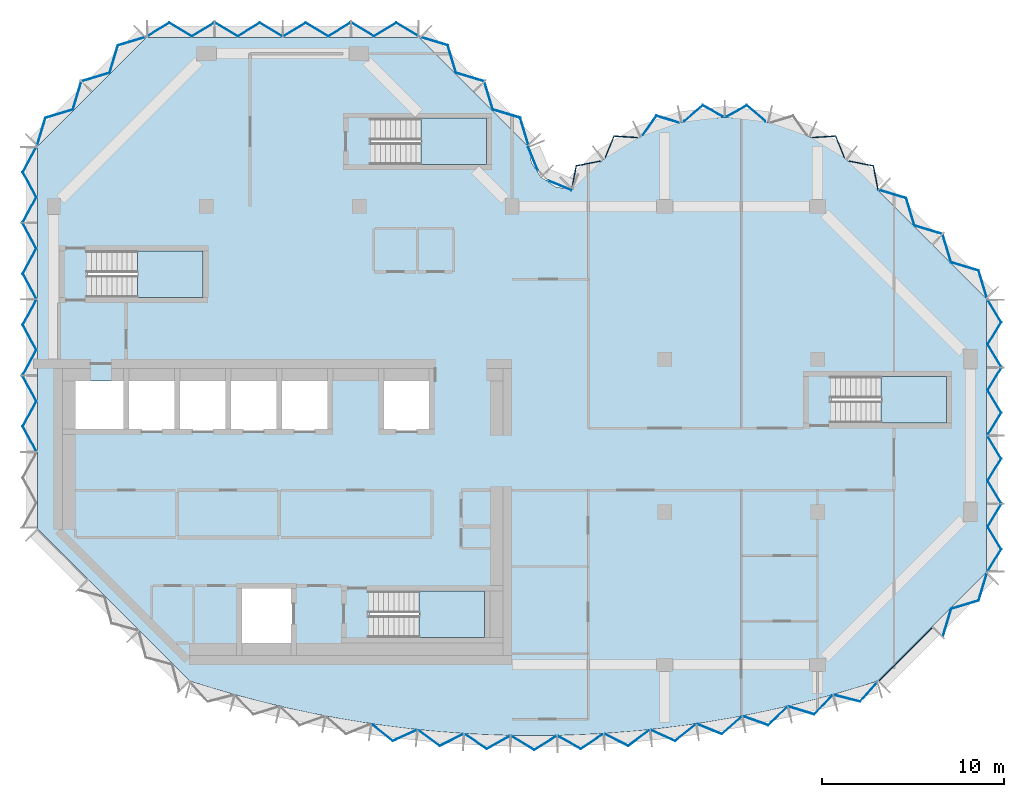
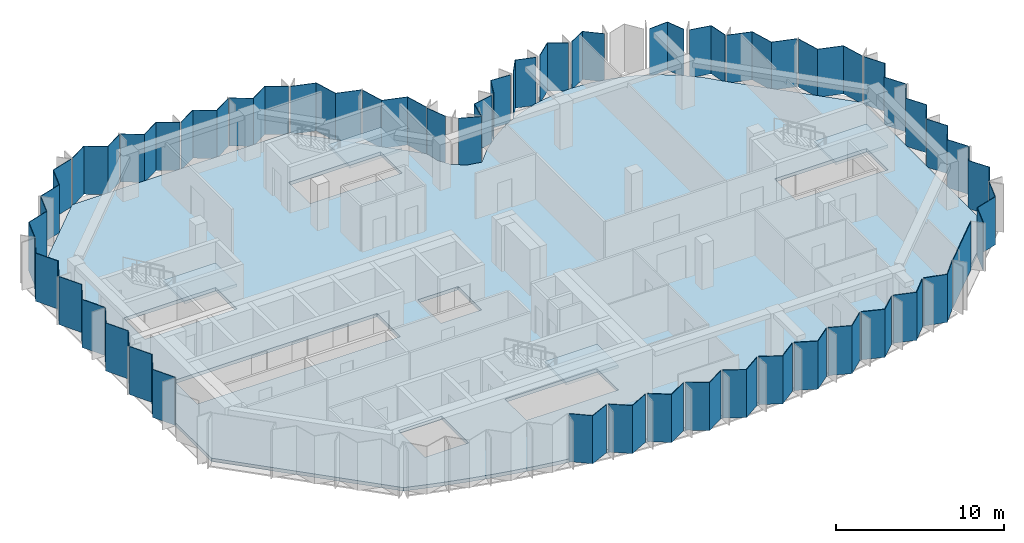
# One storey, part 3 of 9: 40 plates, 5 slabs, 14 elements without a shape of their own.
"""IFC4 building model written with IfcOpenShell, lengths in metres."""

from ifc_helpers import new_model, si_unit, direction, frame, origin, place, context, subcontext, project, spatial, polyline, outline, extrude, material, layer, layer_set, type_object, element, aggregate, save


model = new_model("IFC4")

# Units and contexts
model_context = context("Model", 3, precision=1e-05, world=origin(), true_north=direction((0.0, 1.0)))
body_context = subcontext(model_context, "Body", "Model", "MODEL_VIEW")
ifc_project = project(units=[si_unit("LENGTHUNIT", "METRE"), si_unit("AREAUNIT", "SQUARE_METRE"), si_unit("VOLUMEUNIT", "CUBIC_METRE"), si_unit("PLANEANGLEUNIT", "RADIAN"), si_unit("MASSUNIT", "GRAM", prefix="KILO")], contexts=[model_context])

# Site, building, storey
site_placement = place(None, origin())
site = spatial("IfcSite", under=ifc_project, at=site_placement, CompositionType="ELEMENT")
building_placement = place(site_placement, origin())
building = spatial("IfcBuilding", under=site, at=building_placement, Name="Brevane Broadcast Tower", CompositionType="ELEMENT")
storey_placement = place(building_placement, frame((0.0, 0.0, 226.5)))
storey = spatial("IfcBuildingStorey", under=building, at=storey_placement, Name="L57", CompositionType="ELEMENT", Elevation=226.5)

# Curtain wall, plates
ifc_material_1 = material(Name="Aluminium 6063-T6 bronze anodised", Category="aluminium")
curtain_wall_type = type_object("IfcCurtainWallType", Name="CW-1 curtain wall", PredefinedType="NOTDEFINED", material=ifc_material_1)
curtain_wall_1_placement = place(storey_placement, origin())
curtain_wall_1 = element("IfcCurtainWall", 1, at=curtain_wall_1_placement, inside=storey, type_object=curtain_wall_type, Name="CW-1 typical tilted unit L57 south bow", PredefinedType="NOTDEFINED")
ifc_material_2 = material(Name="Laminated glass bronze-tinted", Category="glass")
ifc_layer_1 = layer(ifc_material_2, 0.0400390625)
ifc_layer_set_1 = layer_set([ifc_layer_1], Name="CW tall glass panel 40")
plate_type = type_object("IfcPlateType", Name="CW tall glass panel 40", PredefinedType="CURTAIN_PANEL", material=ifc_layer_set_1)
plate_1_placement = place(storey_placement, frame((0.0, 0.0, -0.14990234375)))
plate_1 = element("IfcPlate", 2, at=plate_1_placement, type_object=plate_type, Name="CW-1 glass panel", PredefinedType="CURTAIN_PANEL", context=body_context, shape_type="SweptSolid", body=[
    extrude(outline(polyline([(17.534912109375, -3.273681640625), (17.528076171875, -3.319580078125), (18.63525390625, -4.211181640625), (19.926025390625, -3.623779296875), (19.930908203125, -3.57763671875), (18.64111328125, -4.164794921875), (17.534912109375, -3.273681640625)])), origin(), (0.0, 0.0, 1.0), 3.5),
])
plate_2_placement = place(storey_placement, frame((0.0, 0.0, -0.14990234375)))
plate_2 = element("IfcPlate", 3, at=plate_2_placement, type_object=plate_type, Name="CW-1 glass panel", PredefinedType="CURTAIN_PANEL", context=body_context, shape_type="SweptSolid", body=[
    extrude(outline(polyline([(20.07763671875, -3.593017578125), (20.07275390625, -3.638916015625), (21.21875, -4.48388671875), (22.4814453125, -3.843017578125), (22.484375, -3.796630859375), (21.22265625, -4.437255859375), (20.07763671875, -3.593017578125)])), origin(), (0.0, 0.0, 1.0), 3.5),
])
plate_3_placement = place(storey_placement, frame((0.0, 0.0, -0.14990234375)))
plate_3 = element("IfcPlate", 4, at=plate_3_placement, type_object=plate_type, Name="CW-1 glass panel", PredefinedType="CURTAIN_PANEL", context=body_context, shape_type="SweptSolid", body=[
    extrude(outline(polyline([(22.631591796875, -3.8056640625), (22.628662109375, -3.851806640625), (23.8115234375, -4.6484375), (25.043701171875, -3.955322265625), (25.044921875, -3.908935546875), (23.8134765625, -4.6015625), (22.631591796875, -3.8056640625)])), origin(), (0.0, 0.0, 1.0), 3.5),
])
plate_4_placement = place(storey_placement, frame((0.0, 0.0, -0.14990234375)))
plate_4 = element("IfcPlate", 5, at=plate_4_placement, type_object=plate_type, Name="CW-1 glass panel", PredefinedType="CURTAIN_PANEL", context=body_context, shape_type="SweptSolid", body=[
    extrude(outline(polyline([(25.1923828125, -3.91162109375), (25.19140625, -3.957763671875), (26.413818359375, -4.703369140625), (27.6181640625, -3.95849609375), (27.6171875, -3.912109375), (26.41357421875, -4.656494140625), (25.1923828125, -3.91162109375)])), origin(), (0.0, 0.0, 1.0), 3.5),
])
plate_5_placement = place(storey_placement, frame((0.0, 0.0, -0.14990234375)))
plate_5 = element("IfcPlate", 6, at=plate_5_placement, type_object=plate_type, Name="CW-1 glass panel", PredefinedType="CURTAIN_PANEL", context=body_context, shape_type="SweptSolid", body=[
    extrude(outline(polyline([(27.745849609375, -3.9091796875), (27.746826171875, -3.955810546875), (28.98388671875, -4.648681640625), (30.17138671875, -3.851806640625), (30.16845703125, -3.8056640625), (28.98193359375, -4.601806640625), (27.745849609375, -3.9091796875)])), origin(), (0.0, 0.0, 1.0), 3.5),
])
plate_6_placement = place(storey_placement, frame((0.0, 0.0, -0.14990234375)))
plate_6 = element("IfcPlate", 7, at=plate_6_placement, type_object=plate_type, Name="CW-1 glass panel", PredefinedType="CURTAIN_PANEL", context=body_context, shape_type="SweptSolid", body=[
    extrude(outline(polyline([(30.315673828125, -3.796630859375), (30.318603515625, -3.843017578125), (31.581298828125, -4.48388671875), (32.727294921875, -3.638916015625), (32.722412109375, -3.593017578125), (31.577392578125, -4.437255859375), (30.315673828125, -3.796630859375)])), origin(), (0.0, 0.0, 1.0), 3.5),
])
plate_7_placement = place(storey_placement, frame((0.0, 0.0, -0.14990234375)))
plate_7 = element("IfcPlate", 8, at=plate_7_placement, type_object=plate_type, Name="CW-1 glass panel", PredefinedType="CURTAIN_PANEL", context=body_context, shape_type="SweptSolid", body=[
    extrude(outline(polyline([(32.869140625, -3.57763671875), (32.8740234375, -3.623779296875), (34.164794921875, -4.211181640625), (35.27197265625, -3.319580078125), (35.26513671875, -3.273681640625), (34.158935546875, -4.164794921875), (32.869140625, -3.57763671875)])), origin(), (0.0, 0.0, 1.0), 3.5),
])
plate_8_placement = place(storey_placement, frame((0.0, 0.0, -0.14990234375)))
plate_8 = element("IfcPlate", 9, at=plate_8_placement, type_object=plate_type, Name="CW-1 glass panel", PredefinedType="CURTAIN_PANEL", context=body_context, shape_type="SweptSolid", body=[
    extrude(outline(polyline([(35.4111328125, -3.252197265625), (35.41796875, -3.298095703125), (36.73486328125, -3.830810546875), (37.80126953125, -2.894287109375), (37.79248046875, -2.8486328125), (36.726806640625, -3.78466796875), (35.4111328125, -3.252197265625)])), origin(), (0.0, 0.0, 1.0), 3.5),
])
plate_9_placement = place(storey_placement, frame((0.0, 0.0, -0.14990234375)))
plate_9 = element("IfcPlate", 10, at=plate_9_placement, type_object=plate_type, Name="CW-1 glass panel", PredefinedType="CURTAIN_PANEL", context=body_context, shape_type="SweptSolid", body=[
    extrude(outline(polyline([(37.9375, -2.82080078125), (37.946044921875, -2.866455078125), (39.28662109375, -3.343505859375), (40.310546875, -2.36376953125), (40.2998046875, -2.318603515625), (39.276611328125, -3.29736328125), (37.9375, -2.82080078125)])), origin(), (0.0, 0.0, 1.0), 3.5),
])
plate_10_placement = place(storey_placement, frame((0.0, 0.0, -0.14990234375)))
plate_10 = element("IfcPlate", 11, at=plate_10_placement, type_object=plate_type, Name="CW-1 glass panel", PredefinedType="CURTAIN_PANEL", context=body_context, shape_type="SweptSolid", body=[
    extrude(outline(polyline([(40.443603515625, -2.284423828125), (40.4541015625, -2.32958984375), (41.81591796875, -2.749755859375), (42.79541015625, -1.728759765625), (42.782958984375, -1.68408203125), (41.803955078125, -2.7041015625), (40.443603515625, -2.284423828125)])), origin(), (0.0, 0.0, 1.0), 3.5),
])
plate_11_placement = place(storey_placement, frame((0.0, 0.0, -0.14990234375)))
plate_11 = element("IfcPlate", 12, at=plate_11_placement, type_object=plate_type, Name="CW-1 glass panel", PredefinedType="CURTAIN_PANEL", context=body_context, shape_type="SweptSolid", body=[
    extrude(outline(polyline([(42.925048828125, -1.64404296875), (42.9375, -1.6884765625), (44.336669921875, -2.044921875), (45.287841796875, -0.980712890625), (45.2744140625, -0.935791015625), (44.322998046875, -2.000244140625), (42.925048828125, -1.64404296875)])), origin(), (0.0, 0.0, 1.0), 3.5),
])
aggregate(curtain_wall_1, [plate_1, plate_2, plate_3, plate_4, plate_5, plate_6, plate_7, plate_8, plate_9, plate_10, plate_11])

curtain_wall_2_placement = place(storey_placement, origin())
curtain_wall_2 = element("IfcCurtainWall", 13, at=curtain_wall_2_placement, inside=storey, type_object=curtain_wall_type, Name="CW-1 typical tilted unit L57 south-east chamfer", PredefinedType="NOTDEFINED")
plate_12_placement = place(storey_placement, frame((0.0, 0.0, -0.14990234375)))
plate_12 = element("IfcPlate", 14, at=plate_12_placement, type_object=plate_type, Name="CW-1 glass panel", PredefinedType="CURTAIN_PANEL", context=body_context, shape_type="SweptSolid", body=[
    extrude(outline(polyline([(45.345947265625, -0.896484375), (48.29638671875, 2.053955078125), (48.32470703125, 2.02587890625), (45.374267578125, -0.9248046875), (45.345947265625, -0.896484375)])), origin(), (0.0, 0.0, 1.0), 3.5),
])
plate_13_placement = place(storey_placement, frame((0.0, 0.0, -0.14990234375)))
plate_13 = element("IfcPlate", 15, at=plate_13_placement, type_object=plate_type, Name="CW-1 glass panel", PredefinedType="CURTAIN_PANEL", context=body_context, shape_type="SweptSolid", body=[
    extrude(outline(polyline([(48.870361328125, 1.5791015625), (48.902587890625, 1.547119140625), (49.359619140625, 3.056884765625), (50.869384765625, 3.513916015625), (51.32666015625, 5.02392578125), (51.294677734375, 5.055908203125), (50.83740234375, 3.546142578125), (49.32763671875, 3.0888671875), (48.870361328125, 1.5791015625)])), origin(), (0.0, 0.0, 1.0), 3.5),
])
aggregate(curtain_wall_2, [plate_12, plate_13])

curtain_wall_3_placement = place(storey_placement, origin())
curtain_wall_3 = element("IfcCurtainWall", 16, at=curtain_wall_3_placement, inside=storey, type_object=curtain_wall_type, Name="CW-1 typical tilted unit L57 east end", PredefinedType="NOTDEFINED")
plate_14_placement = place(storey_placement, frame((0.0, 0.0, -0.14990234375)))
plate_14 = element("IfcPlate", 17, at=plate_14_placement, type_object=plate_type, Name="CW-1 glass panel", PredefinedType="CURTAIN_PANEL", context=body_context, shape_type="SweptSolid", body=[
    extrude(outline(polyline([(51.32666015625, 5.135009765625), (51.373291015625, 5.135009765625), (52.117919921875, 6.36181640625), (51.373291015625, 7.58837890625), (52.117919921875, 8.81494140625), (52.071044921875, 8.81494140625), (51.32666015625, 7.58837890625), (52.071044921875, 6.36181640625), (51.32666015625, 5.135009765625)])), origin(), (0.0, 0.0, 1.0), 3.5),
])
plate_15_placement = place(storey_placement, frame((0.0, 0.0, -0.14990234375)))
plate_15 = element("IfcPlate", 18, at=plate_15_placement, type_object=plate_type, Name="CW-1 glass panel", PredefinedType="CURTAIN_PANEL", context=body_context, shape_type="SweptSolid", body=[
    extrude(outline(polyline([(52.071044921875, 8.885009765625), (52.117919921875, 8.885009765625), (51.373291015625, 10.11181640625), (52.117919921875, 11.33837890625), (51.373291015625, 12.56494140625), (51.32666015625, 12.56494140625), (52.071044921875, 11.33837890625), (51.32666015625, 10.11181640625), (52.071044921875, 8.885009765625)])), origin(), (0.0, 0.0, 1.0), 3.5),
])
plate_16_placement = place(storey_placement, frame((0.0, 0.0, -0.14990234375)))
plate_16 = element("IfcPlate", 19, at=plate_16_placement, type_object=plate_type, Name="CW-1 glass panel", PredefinedType="CURTAIN_PANEL", context=body_context, shape_type="SweptSolid", body=[
    extrude(outline(polyline([(51.32666015625, 12.635009765625), (51.373291015625, 12.635009765625), (52.117919921875, 13.86181640625), (51.373291015625, 15.08837890625), (52.117919921875, 16.31494140625), (52.071044921875, 16.31494140625), (51.32666015625, 15.08837890625), (52.071044921875, 13.86181640625), (51.32666015625, 12.635009765625)])), origin(), (0.0, 0.0, 1.0), 3.5),
])
plate_17_placement = place(storey_placement, frame((0.0, 0.0, -0.14990234375)))
plate_17 = element("IfcPlate", 20, at=plate_17_placement, type_object=plate_type, Name="CW-1 glass panel", PredefinedType="CURTAIN_PANEL", context=body_context, shape_type="SweptSolid", body=[
    extrude(outline(polyline([(52.071044921875, 16.385009765625), (52.117919921875, 16.385009765625), (51.373291015625, 17.61181640625), (52.117919921875, 18.83837890625), (51.373291015625, 20.06494140625), (51.32666015625, 20.06494140625), (52.071044921875, 18.83837890625), (51.32666015625, 17.61181640625), (52.071044921875, 16.385009765625)])), origin(), (0.0, 0.0, 1.0), 3.5),
])
aggregate(curtain_wall_3, [plate_14, plate_15, plate_16, plate_17])

curtain_wall_4_placement = place(storey_placement, origin())
curtain_wall_4 = element("IfcCurtainWall", 21, at=curtain_wall_4_placement, inside=storey, type_object=curtain_wall_type, Name="CW-1 typical tilted unit L57 north-east chamfer", PredefinedType="NOTDEFINED")
plate_18_placement = place(storey_placement, frame((0.0, 0.0, -0.14990234375)))
plate_18 = element("IfcPlate", 22, at=plate_18_placement, type_object=plate_type, Name="CW-1 glass panel", PredefinedType="CURTAIN_PANEL", context=body_context, shape_type="SweptSolid", body=[
    extrude(outline(polyline([(51.294677734375, 20.14404296875), (51.32666015625, 20.176025390625), (50.869384765625, 21.68603515625), (49.359619140625, 22.14306640625), (48.902587890625, 23.653076171875), (48.870361328125, 23.620849609375), (49.32763671875, 22.111083984375), (50.83740234375, 21.65380859375), (51.294677734375, 20.14404296875)])), origin(), (0.0, 0.0, 1.0), 3.5),
])
plate_19_placement = place(storey_placement, frame((0.0, 0.0, -0.14990234375)))
plate_19 = element("IfcPlate", 23, at=plate_19_placement, type_object=plate_type, Name="CW-1 glass panel", PredefinedType="CURTAIN_PANEL", context=body_context, shape_type="SweptSolid", body=[
    extrude(outline(polyline([(48.82080078125, 23.67041015625), (48.85302734375, 23.702392578125), (47.343017578125, 24.15966796875), (46.885986328125, 25.66943359375), (45.376220703125, 26.126708984375), (45.343994140625, 26.094482421875), (46.85400390625, 25.637451171875), (47.31103515625, 24.127685546875), (48.82080078125, 23.67041015625)])), origin(), (0.0, 0.0, 1.0), 3.5),
])
aggregate(curtain_wall_4, [plate_18, plate_19])

curtain_wall_5_placement = place(storey_placement, origin())
curtain_wall_5 = element("IfcCurtainWall", 24, at=curtain_wall_5_placement, inside=storey, type_object=curtain_wall_type, Name="CW-1 typical tilted unit L57 east bow", PredefinedType="NOTDEFINED")
plate_20_placement = place(storey_placement, frame((0.0, 0.0, -0.14990234375)))
plate_20 = element("IfcPlate", 25, at=plate_20_placement, type_object=plate_type, Name="CW-1 glass panel", PredefinedType="CURTAIN_PANEL", context=body_context, shape_type="SweptSolid", body=[
    extrude(outline(polyline([(45.2939453125, 26.14404296875), (45.327880859375, 26.17919921875), (45.086181640625, 27.447265625), (43.738525390625, 27.71142578125), (43.7109375, 27.67626953125), (45.052001953125, 27.4130859375), (45.2939453125, 26.14404296875)])), origin(), (0.0, 0.0, 1.0), 3.5),
])
plate_21_placement = place(storey_placement, frame((0.0, 0.0, -0.14990234375)))
plate_21 = element("IfcPlate", 26, at=plate_21_placement, type_object=plate_type, Name="CW-1 glass panel", PredefinedType="CURTAIN_PANEL", context=body_context, shape_type="SweptSolid", body=[
    extrude(outline(polyline([(43.45703125, 27.8759765625), (43.4853515625, 27.912109375), (43.00390625, 29.089111328125), (41.710693359375, 29.006591796875), (41.69091796875, 28.96533203125), (42.977783203125, 29.04736328125), (43.45703125, 27.8759765625)])), origin(), (0.0, 0.0, 1.0), 3.5),
])
plate_22_placement = place(storey_placement, frame((0.0, 0.0, -0.14990234375)))
plate_22 = element("IfcPlate", 27, at=plate_22_placement, type_object=plate_type, Name="CW-1 glass panel", PredefinedType="CURTAIN_PANEL", context=body_context, shape_type="SweptSolid", body=[
    extrude(outline(polyline([(39.125, 29.859619140625), (39.13525390625, 29.903564453125), (38.116943359375, 30.779296875), (37.008056640625, 30.15869140625), (37.008056640625, 30.11279296875), (38.112060546875, 30.730712890625), (39.125, 29.859619140625)])), origin(), (0.0, 0.0, 1.0), 3.5),
])
plate_23_placement = place(storey_placement, frame((0.0, 0.0, -0.14990234375)))
plate_23 = element("IfcPlate", 28, at=plate_23_placement, type_object=plate_type, Name="CW-1 glass panel", PredefinedType="CURTAIN_PANEL", context=body_context, shape_type="SweptSolid", body=[
    extrude(outline(polyline([(36.7919921875, 30.11279296875), (36.7919921875, 30.15869140625), (35.68310546875, 30.779296875), (34.664794921875, 29.903564453125), (34.6748046875, 29.859619140625), (35.68798828125, 30.730712890625), (36.7919921875, 30.11279296875)])), origin(), (0.0, 0.0, 1.0), 3.5),
])
plate_24_placement = place(storey_placement, frame((0.0, 0.0, -0.14990234375)))
plate_24 = element("IfcPlate", 29, at=plate_24_placement, type_object=plate_type, Name="CW-1 glass panel", PredefinedType="CURTAIN_PANEL", context=body_context, shape_type="SweptSolid", body=[
    extrude(outline(polyline([(34.359619140625, 29.78857421875), (34.349365234375, 29.83349609375), (33.132080078125, 30.20166015625), (32.381103515625, 29.1455078125), (32.400634765625, 29.104248046875), (33.148193359375, 30.155029296875), (34.359619140625, 29.78857421875)])), origin(), (0.0, 0.0, 1.0), 3.5),
])
plate_25_placement = place(storey_placement, frame((0.0, 0.0, -0.14990234375)))
plate_25 = element("IfcPlate", 30, at=plate_25_placement, type_object=plate_type, Name="CW-1 glass panel", PredefinedType="CURTAIN_PANEL", context=body_context, shape_type="SweptSolid", body=[
    extrude(outline(polyline([(32.10888671875, 28.96533203125), (32.08935546875, 29.006591796875), (30.7958984375, 29.089111328125), (30.314697265625, 27.912109375), (30.343017578125, 27.8759765625), (30.822265625, 29.04736328125), (32.10888671875, 28.96533203125)])), origin(), (0.0, 0.0, 1.0), 3.5),
])
plate_26_placement = place(storey_placement, frame((0.0, 0.0, -0.14990234375)))
plate_26 = element("IfcPlate", 31, at=plate_26_placement, type_object=plate_type, Name="CW-1 glass panel", PredefinedType="CURTAIN_PANEL", context=body_context, shape_type="SweptSolid", body=[
    extrude(outline(polyline([(30.089111328125, 27.67626953125), (30.0615234375, 27.71142578125), (28.7138671875, 27.447265625), (28.471923828125, 26.17919921875), (28.506103515625, 26.14404296875), (28.748046875, 27.4130859375), (30.089111328125, 27.67626953125)])), origin(), (0.0, 0.0, 1.0), 3.5),
])
aggregate(curtain_wall_5, [plate_20, plate_21, plate_22, plate_23, plate_24, plate_25, plate_26])

curtain_wall_6_placement = place(storey_placement, origin())
curtain_wall_6 = element("IfcCurtainWall", 32, at=curtain_wall_6_placement, inside=storey, type_object=curtain_wall_type, Name="CW-1 typical tilted unit L57 inner corner", PredefinedType="NOTDEFINED")
plate_27_placement = place(storey_placement, frame((0.0, 0.0, -0.14990234375)))
plate_27 = element("IfcPlate", 33, at=plate_27_placement, type_object=plate_type, Name="CW-1 glass panel", PredefinedType="CURTAIN_PANEL", context=body_context, shape_type="SweptSolid", body=[
    extrude(outline(polyline([(28.45166015625, 26.07470703125), (28.466796875, 26.111572265625), (27.2021484375, 26.635498046875), (27.17138671875, 26.60498046875), (28.45166015625, 26.07470703125)])), origin(), (0.0, 0.0, 1.0), 3.5),
])
plate_28_placement = place(storey_placement, frame((0.0, 0.0, -0.14990234375)))
plate_28 = element("IfcPlate", 34, at=plate_28_placement, type_object=plate_type, Name="CW-1 glass panel", PredefinedType="CURTAIN_PANEL", context=body_context, shape_type="SweptSolid", body=[
    extrude(outline(polyline([(26.60498046875, 27.17138671875), (26.635498046875, 27.2021484375), (26.111572265625, 28.466796875), (26.07470703125, 28.45166015625), (26.60498046875, 27.17138671875)])), origin(), (0.0, 0.0, 1.0), 3.5),
])
aggregate(curtain_wall_6, [plate_27, plate_28])

curtain_wall_7_placement = place(storey_placement, origin())
curtain_wall_7 = element("IfcCurtainWall", 35, at=curtain_wall_7_placement, inside=storey, type_object=curtain_wall_type, Name="CW-1 typical tilted unit L57 north arm north-east chamfer", PredefinedType="NOTDEFINED")
plate_29_placement = place(storey_placement, frame((0.0, 0.0, -0.14990234375)))
plate_29 = element("IfcPlate", 36, at=plate_29_placement, type_object=plate_type, Name="CW-1 glass panel", PredefinedType="CURTAIN_PANEL", context=body_context, shape_type="SweptSolid", body=[
    extrude(outline(polyline([(26.094482421875, 28.544189453125), (26.126708984375, 28.576171875), (25.66943359375, 30.0859375), (24.15966796875, 30.543212890625), (23.702392578125, 32.052978515625), (23.67041015625, 32.02099609375), (24.127685546875, 30.510986328125), (25.637451171875, 30.053955078125), (26.094482421875, 28.544189453125)])), origin(), (0.0, 0.0, 1.0), 3.5),
])
plate_30_placement = place(storey_placement, frame((0.0, 0.0, -0.14990234375)))
plate_30 = element("IfcPlate", 37, at=plate_30_placement, type_object=plate_type, Name="CW-1 glass panel", PredefinedType="CURTAIN_PANEL", context=body_context, shape_type="SweptSolid", body=[
    extrude(outline(polyline([(23.620849609375, 32.0703125), (23.653076171875, 32.1025390625), (22.14306640625, 32.5595703125), (21.68603515625, 34.069580078125), (20.176025390625, 34.526611328125), (20.14404296875, 34.49462890625), (21.65380859375, 34.037353515625), (22.111083984375, 32.527587890625), (23.620849609375, 32.0703125)])), origin(), (0.0, 0.0, 1.0), 3.5),
])
aggregate(curtain_wall_7, [plate_29, plate_30])

curtain_wall_8_placement = place(storey_placement, origin())
curtain_wall_8 = element("IfcCurtainWall", 38, at=curtain_wall_8_placement, inside=storey, type_object=curtain_wall_type, Name="CW-1 typical tilted unit L57 north end", PredefinedType="NOTDEFINED")
plate_31_placement = place(storey_placement, frame((0.0, 0.0, -0.14990234375)))
plate_31 = element("IfcPlate", 39, at=plate_31_placement, type_object=plate_type, Name="CW-1 glass panel", PredefinedType="CURTAIN_PANEL", context=body_context, shape_type="SweptSolid", body=[
    extrude(outline(polyline([(20.06494140625, 34.526611328125), (20.06494140625, 34.573486328125), (18.83837890625, 35.31787109375), (17.61181640625, 34.573486328125), (16.385009765625, 35.31787109375), (16.385009765625, 35.27099609375), (17.61181640625, 34.526611328125), (18.83837890625, 35.27099609375), (20.06494140625, 34.526611328125)])), origin(), (0.0, 0.0, 1.0), 3.5),
])
plate_32_placement = place(storey_placement, frame((0.0, 0.0, -0.14990234375)))
plate_32 = element("IfcPlate", 40, at=plate_32_placement, type_object=plate_type, Name="CW-1 glass panel", PredefinedType="CURTAIN_PANEL", context=body_context, shape_type="SweptSolid", body=[
    extrude(outline(polyline([(16.31494140625, 35.27099609375), (16.31494140625, 35.31787109375), (15.08837890625, 34.573486328125), (13.86181640625, 35.31787109375), (12.635009765625, 34.573486328125), (12.635009765625, 34.526611328125), (13.86181640625, 35.27099609375), (15.08837890625, 34.526611328125), (16.31494140625, 35.27099609375)])), origin(), (0.0, 0.0, 1.0), 3.5),
])
plate_33_placement = place(storey_placement, frame((0.0, 0.0, -0.14990234375)))
plate_33 = element("IfcPlate", 41, at=plate_33_placement, type_object=plate_type, Name="CW-1 glass panel", PredefinedType="CURTAIN_PANEL", context=body_context, shape_type="SweptSolid", body=[
    extrude(outline(polyline([(12.56494140625, 34.526611328125), (12.56494140625, 34.573486328125), (11.33837890625, 35.31787109375), (10.11181640625, 34.573486328125), (8.885009765625, 35.31787109375), (8.885009765625, 35.27099609375), (10.11181640625, 34.526611328125), (11.33837890625, 35.27099609375), (12.56494140625, 34.526611328125)])), origin(), (0.0, 0.0, 1.0), 3.5),
])
plate_34_placement = place(storey_placement, frame((0.0, 0.0, -0.14990234375)))
plate_34 = element("IfcPlate", 42, at=plate_34_placement, type_object=plate_type, Name="CW-1 glass panel", PredefinedType="CURTAIN_PANEL", context=body_context, shape_type="SweptSolid", body=[
    extrude(outline(polyline([(8.81494140625, 35.27099609375), (8.81494140625, 35.31787109375), (7.58837890625, 34.573486328125), (6.36181640625, 35.31787109375), (5.135009765625, 34.573486328125), (5.135009765625, 34.526611328125), (6.36181640625, 35.27099609375), (7.58837890625, 34.526611328125), (8.81494140625, 35.27099609375)])), origin(), (0.0, 0.0, 1.0), 3.5),
])
aggregate(curtain_wall_8, [plate_31, plate_32, plate_33, plate_34])

curtain_wall_9_placement = place(storey_placement, origin())
curtain_wall_9 = element("IfcCurtainWall", 43, at=curtain_wall_9_placement, inside=storey, type_object=curtain_wall_type, Name="CW-1 typical tilted unit L57 north-west chamfer", PredefinedType="NOTDEFINED")
plate_35_placement = place(storey_placement, frame((0.0, 0.0, -0.14990234375)))
plate_35 = element("IfcPlate", 44, at=plate_35_placement, type_object=plate_type, Name="CW-1 glass panel", PredefinedType="CURTAIN_PANEL", context=body_context, shape_type="SweptSolid", body=[
    extrude(outline(polyline([(5.055908203125, 34.49462890625), (5.02392578125, 34.526611328125), (3.513916015625, 34.069580078125), (3.056884765625, 32.5595703125), (1.547119140625, 32.1025390625), (1.5791015625, 32.0703125), (3.0888671875, 32.527587890625), (3.546142578125, 34.037353515625), (5.055908203125, 34.49462890625)])), origin(), (0.0, 0.0, 1.0), 3.5),
])
plate_36_placement = place(storey_placement, frame((0.0, 0.0, -0.14990234375)))
plate_36 = element("IfcPlate", 45, at=plate_36_placement, type_object=plate_type, Name="CW-1 glass panel", PredefinedType="CURTAIN_PANEL", context=body_context, shape_type="SweptSolid", body=[
    extrude(outline(polyline([(1.529541015625, 32.02099609375), (1.49755859375, 32.052978515625), (1.040283203125, 30.543212890625), (-0.469482421875, 30.0859375), (-0.926513671875, 28.576171875), (-0.89453125, 28.544189453125), (-0.4375, 30.053955078125), (1.072509765625, 30.510986328125), (1.529541015625, 32.02099609375)])), origin(), (0.0, 0.0, 1.0), 3.5),
])
aggregate(curtain_wall_9, [plate_35, plate_36])

curtain_wall_10_placement = place(storey_placement, origin())
curtain_wall_10 = element("IfcCurtainWall", 46, at=curtain_wall_10_placement, inside=storey, type_object=curtain_wall_type, Name="CW-1 typical tilted unit L57 west face", PredefinedType="NOTDEFINED")
plate_37_placement = place(storey_placement, frame((0.0, 0.0, -0.14990234375)))
plate_37 = element("IfcPlate", 47, at=plate_37_placement, type_object=plate_type, Name="CW-1 glass panel", PredefinedType="CURTAIN_PANEL", context=body_context, shape_type="SweptSolid", body=[
    extrude(outline(polyline([(-0.92724609375, 28.465087890625), (-0.97265625, 28.465087890625), (-1.717041015625, 27.08837890625), (-0.97265625, 25.711669921875), (-1.717041015625, 24.3349609375), (-1.671630859375, 24.3349609375), (-0.92724609375, 25.711669921875), (-1.671630859375, 27.08837890625), (-0.92724609375, 28.465087890625)])), origin(), (0.0, 0.0, 1.0), 3.5),
])
plate_38_placement = place(storey_placement, frame((0.0, 0.0, -0.14990234375)))
plate_38 = element("IfcPlate", 48, at=plate_38_placement, type_object=plate_type, Name="CW-1 glass panel", PredefinedType="CURTAIN_PANEL", context=body_context, shape_type="SweptSolid", body=[
    extrude(outline(polyline([(-1.671630859375, 24.264892578125), (-1.717041015625, 24.264892578125), (-0.97265625, 22.88818359375), (-1.717041015625, 21.51171875), (-0.97265625, 20.135009765625), (-0.92724609375, 20.135009765625), (-1.671630859375, 21.51171875), (-0.92724609375, 22.88818359375), (-1.671630859375, 24.264892578125)])), origin(), (0.0, 0.0, 1.0), 3.5),
])
plate_39_placement = place(storey_placement, frame((0.0, 0.0, -0.14990234375)))
plate_39 = element("IfcPlate", 49, at=plate_39_placement, type_object=plate_type, Name="CW-1 glass panel", PredefinedType="CURTAIN_PANEL", context=body_context, shape_type="SweptSolid", body=[
    extrude(outline(polyline([(-0.92724609375, 20.06494140625), (-0.97265625, 20.06494140625), (-1.717041015625, 18.688232421875), (-0.97265625, 17.311767578125), (-1.717041015625, 15.93505859375), (-1.671630859375, 15.93505859375), (-0.92724609375, 17.311767578125), (-1.671630859375, 18.688232421875), (-0.92724609375, 20.06494140625)])), origin(), (0.0, 0.0, 1.0), 3.5),
])
plate_40_placement = place(storey_placement, frame((0.0, 0.0, -0.14990234375)))
plate_40 = element("IfcPlate", 50, at=plate_40_placement, type_object=plate_type, Name="CW-1 glass panel", PredefinedType="CURTAIN_PANEL", context=body_context, shape_type="SweptSolid", body=[
    extrude(outline(polyline([(-1.671630859375, 15.864990234375), (-1.717041015625, 15.864990234375), (-0.97265625, 14.48828125), (-1.717041015625, 13.11181640625), (-0.97265625, 11.735107421875), (-0.92724609375, 11.735107421875), (-1.671630859375, 13.11181640625), (-0.92724609375, 14.48828125), (-1.671630859375, 15.864990234375)])), origin(), (0.0, 0.0, 1.0), 3.5),
])
aggregate(curtain_wall_10, [plate_37, plate_38, plate_39, plate_40])

# Stair, slab
ifc_material_3 = material(Name="Concrete C50/60", Category="concrete")
stair_type = type_object("IfcStairType", Name="Exit stair 22 risers", PredefinedType="HALF_TURN_STAIR", material=ifc_material_3)
stair_1_placement = place(storey_placement, origin())
stair_1 = element("IfcStair", 51, at=stair_1_placement, inside=storey, type_object=stair_type, Name="L57 Exit stair ST-1", PredefinedType="HALF_TURN_STAIR")
ifc_layer_2 = layer(ifc_material_3, 0.199951171875)
ifc_layer_set_2 = layer_set([ifc_layer_2], Name="Exit stair landing")
slab_type_1 = type_object("IfcSlabType", Name="Exit stair landing", PredefinedType="LANDING", material=ifc_layer_set_2)
slab_1_placement = place(storey_placement, frame((0.0, 0.0, 1.60009765625)))
slab_1 = element("IfcSlab", 52, at=slab_1_placement, type_object=slab_type_1, Name="ST-1 landing 1", PredefinedType="LANDING", context=body_context, shape_type="SweptSolid", body=[
    extrude(outline(polyline([(4.60009765625, 20.199951171875), (8.199951171875, 20.199951171875), (8.199951171875, 22.75), (4.60009765625, 22.75), (4.60009765625, 20.199951171875)])), origin(), (0.0, 0.0, 1.0), 0.199951171875),
])
aggregate(stair_1, [slab_1])

stair_2_placement = place(storey_placement, origin())
stair_2 = element("IfcStair", 53, at=stair_2_placement, inside=storey, type_object=stair_type, Name="L57 Exit stair ST-2", PredefinedType="HALF_TURN_STAIR")
slab_2_placement = place(storey_placement, frame((0.0, 0.0, 1.60009765625)))
slab_2 = element("IfcSlab", 54, at=slab_2_placement, type_object=slab_type_1, Name="ST-2 landing 1", PredefinedType="LANDING", context=body_context, shape_type="SweptSolid", body=[
    extrude(outline(polyline([(20.10009765625, 1.5), (23.699951171875, 1.5), (23.699951171875, 4.050048828125), (20.10009765625, 4.050048828125), (20.10009765625, 1.5)])), origin(), (0.0, 0.0, 1.0), 0.199951171875),
])
aggregate(stair_2, [slab_2])

stair_3_placement = place(storey_placement, origin())
stair_3 = element("IfcStair", 55, at=stair_3_placement, inside=storey, type_object=stair_type, Name="L57 Exit stair ST-3", PredefinedType="HALF_TURN_STAIR")
slab_3_placement = place(storey_placement, frame((0.0, 0.0, 1.60009765625)))
slab_3 = element("IfcSlab", 56, at=slab_3_placement, type_object=slab_type_1, Name="ST-3 landing 1", PredefinedType="LANDING", context=body_context, shape_type="SweptSolid", body=[
    extrude(outline(polyline([(20.199951171875, 27.5), (23.800048828125, 27.5), (23.800048828125, 30.050048828125), (20.199951171875, 30.050048828125), (20.199951171875, 27.5)])), origin(), (0.0, 0.0, 1.0), 0.199951171875),
])
aggregate(stair_3, [slab_3])

stair_4_placement = place(storey_placement, origin())
stair_4 = element("IfcStair", 57, at=stair_4_placement, inside=storey, type_object=stair_type, Name="L57 Exit stair ST-4", PredefinedType="HALF_TURN_STAIR")
slab_4_placement = place(storey_placement, frame((0.0, 0.0, 1.60009765625)))
slab_4 = element("IfcSlab", 58, at=slab_4_placement, type_object=slab_type_1, Name="ST-4 landing 1", PredefinedType="LANDING", context=body_context, shape_type="SweptSolid", body=[
    extrude(outline(polyline([(45.5, 13.300048828125), (49.10009765625, 13.300048828125), (49.10009765625, 15.85009765625), (45.5, 15.85009765625), (45.5, 13.300048828125)])), origin(), (0.0, 0.0, 1.0), 0.199951171875),
])
aggregate(stair_4, [slab_4])

# Slab
ifc_material_4 = material(Name="Concrete C40/50", Category="concrete")
ifc_layer_3 = layer(ifc_material_4, 0.25)
ifc_layer_set_3 = layer_set([ifc_layer_3], Name="RC FLOOR SLAB 250 C40/50")
slab_type_2 = type_object("IfcSlabType", Name="RC FLOOR SLAB 250 C40/50", PredefinedType="FLOOR", material=ifc_layer_set_3)
slab_5_placement = place(storey_placement, frame((0.0, 0.0, -0.25)))
element("IfcSlab", 59, at=slab_5_placement, inside=storey, type_object=slab_type_2, Name="SL250 L57", PredefinedType="FLOOR", context=body_context, shape_type="SweptSolid", body=[
    extrude(outline(polyline([(-0.89990234375, 7.5), (-0.89990234375, 28.5), (5.10009765625, 34.5), (20.10009765625, 34.5), (26.10009765625, 28.5), (26.28271484375, 27.58154296875), (26.802978515625, 26.802978515625), (27.58154296875, 26.28271484375), (28.5, 26.10009765625), (29.431396484375, 27.10888671875), (30.48291015625, 27.99169921875), (31.6376953125, 28.734130859375), (32.877197265625, 29.324462890625), (34.181640625, 29.7529296875), (35.52978515625, 30.012939453125), (36.89990234375, 30.10009765625), (38.270263671875, 30.012939453125), (39.618408203125, 29.7529296875), (40.922607421875, 29.324462890625), (42.162353515625, 28.734130859375), (43.317138671875, 27.99169921875), (44.36865234375, 27.10888671875), (45.300048828125, 26.10009765625), (51.300048828125, 20.10009765625), (51.300048828125, 5.10009765625), (45.300048828125, -0.89990234375), (43.990234375, -1.310302734375), (42.671630859375, -1.691162109375), (41.3447265625, -2.0419921875), (40.01025390625, -2.36328125), (38.6689453125, -2.654052734375), (37.3212890625, -2.9150390625), (35.96826171875, -3.145263671875), (34.6103515625, -3.34521484375), (33.248291015625, -3.5146484375), (31.8828125, -3.6533203125), (30.5146484375, -3.76123046875), (29.144287109375, -3.83837890625), (27.7724609375, -3.884521484375), (26.39990234375, -3.89990234375), (25.027587890625, -3.884521484375), (23.65576171875, -3.83837890625), (22.285400390625, -3.76123046875), (20.917236328125, -3.6533203125), (19.5517578125, -3.5146484375), (18.189697265625, -3.34521484375), (16.831787109375, -3.145263671875), (15.478759765625, -2.9150390625), (14.131103515625, -2.654052734375), (12.789794921875, -2.36328125), (11.455322265625, -2.0419921875), (10.12841796875, -1.691162109375), (8.809814453125, -1.310302734375), (7.5, -0.89990234375), (-0.89990234375, 7.5)]), holes=[polyline([(13.199951171875, 4.39990234375), (10.199951171875, 4.39990234375), (10.199951171875, 1.199951171875), (13.199951171875, 1.199951171875), (13.199951171875, 4.39990234375)]), polyline([(4.0, 15.60009765625), (1.199951171875, 15.60009765625), (1.199951171875, 12.800048828125), (4.0, 12.800048828125), (6.800048828125, 12.800048828125), (9.60009765625, 12.800048828125), (12.39990234375, 12.800048828125), (15.199951171875, 12.800048828125), (15.199951171875, 15.60009765625), (12.39990234375, 15.60009765625), (9.60009765625, 15.60009765625), (6.800048828125, 15.60009765625), (4.0, 15.60009765625)]), polyline([(1.860107421875, 22.75), (1.860107421875, 20.199951171875), (8.199951171875, 20.199951171875), (8.199951171875, 22.75), (1.860107421875, 22.75)]), polyline([(23.699951171875, 4.050048828125), (17.360107421875, 4.050048828125), (17.360107421875, 1.5), (23.699951171875, 1.5), (23.699951171875, 4.050048828125)]), polyline([(20.800048828125, 15.60009765625), (18.0, 15.60009765625), (18.0, 12.800048828125), (20.800048828125, 12.800048828125), (20.800048828125, 15.60009765625)]), polyline([(49.10009765625, 15.85009765625), (42.760009765625, 15.85009765625), (42.760009765625, 13.300048828125), (49.10009765625, 13.300048828125), (49.10009765625, 15.85009765625)]), polyline([(23.800048828125, 30.050048828125), (17.4599609375, 30.050048828125), (17.4599609375, 27.5), (23.800048828125, 27.5), (23.800048828125, 30.050048828125)])]), origin(), (0.0, 0.0, 1.0), 0.25),
])

save(model, "model.ifc")
